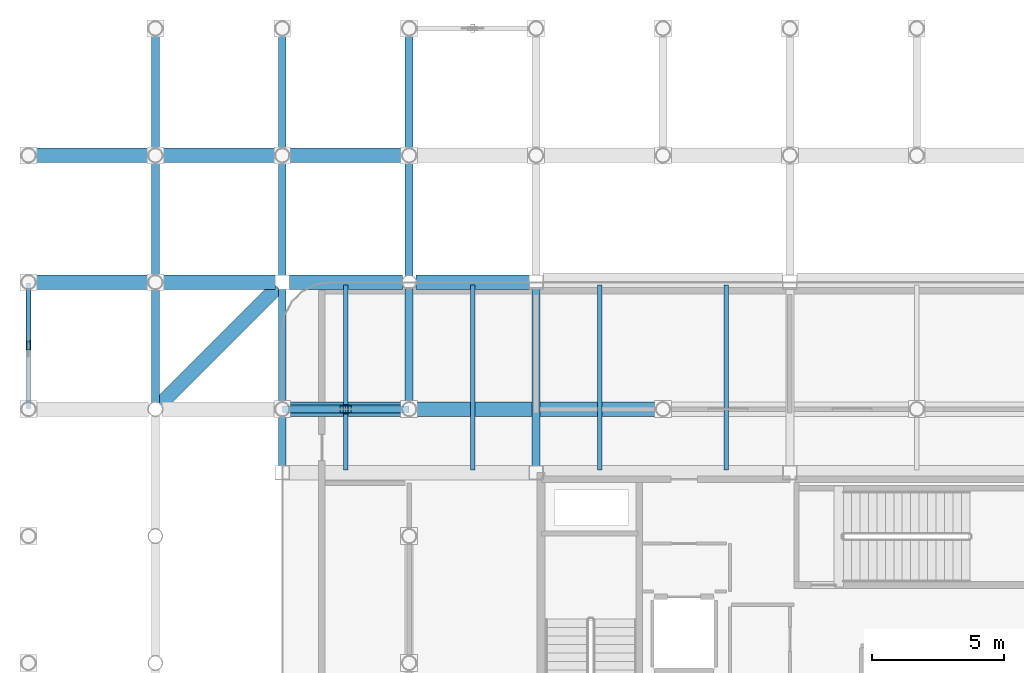
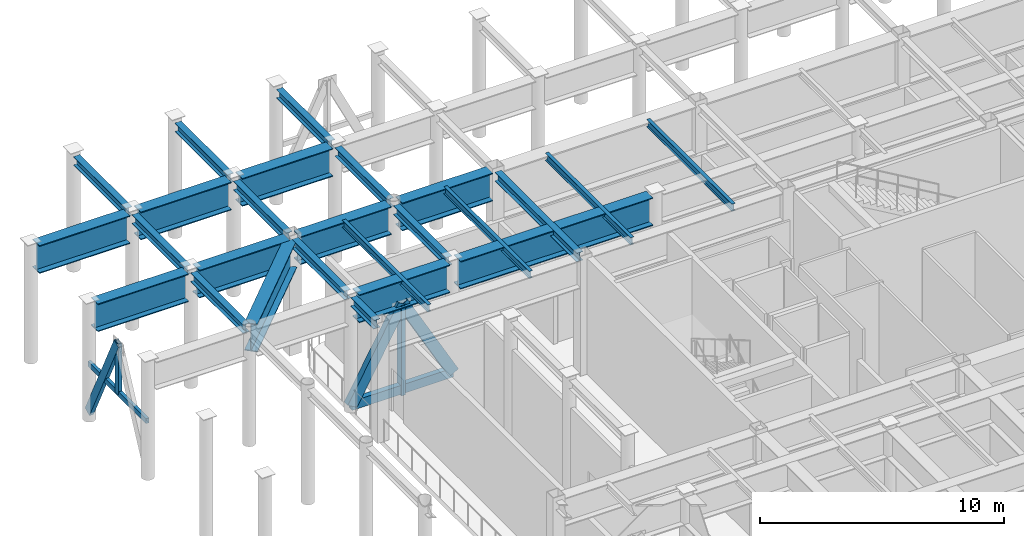
# One storey, part 8 of 20: 25 beams, 7 members.
"""IFC4 building model written with IfcOpenShell, lengths in metres."""

import ifcopenshell
import ifcopenshell.guid

model = None  # the IFC model being written
_history = None  # IfcOwnerHistory: only IFC2X3 demands one
_inside = {}  # id of a spatial element -> (the spatial element, [elements in it])
_under = {}  # id of a project, library or spatial element -> (it, [spatial elements below it])
_declared = {}  # id of a project -> (the project, [libraries it declares])
_typed = {}  # id of a type object -> (the type object, [elements of that type])
_made_of = {}  # id of a material, layer set ... -> (it, [elements and type objects made of it])


def new_model(schema):
    """Start an empty IFC model of exactly this schema.

    Asked for "IFC4X3", IfcOpenShell would pick the latest addendum, in which some entities
    have other attributes; the version numbers below select the first issue.
    IFC2X3 requires an IfcOwnerHistory on every rooted entity: one is made here for all.
    """
    global model, _history
    if schema == "IFC4X3":
        model = ifcopenshell.file(schema_version=(4, 3, 0, 0))
    else:
        model = ifcopenshell.file(schema=schema)
    _inside.clear()
    _under.clear()
    _declared.clear()
    _typed.clear()
    _made_of.clear()
    _history = None
    if model.schema == "IFC2X3":
        org = make("IfcOrganization", Name="unknown")
        user = make(
            "IfcPersonAndOrganization",
            ThePerson=make("IfcPerson", FamilyName="unknown"),
            TheOrganization=org,
        )
        app = make(
            "IfcApplication",
            ApplicationDeveloper=org,
            Version="unknown",
            ApplicationFullName="unknown",
            ApplicationIdentifier="unknown",
        )
        _history = make(
            "IfcOwnerHistory",
            OwningUser=user,
            OwningApplication=app,
            ChangeAction="ADDED",
            CreationDate=0,
        )
    return model


def make(cls, **values):
    """One entity of the class cls with the attributes given. An attribute that is None is left unset."""
    return model.create_entity(
        cls, **{name: value for name, value in values.items() if value is not None}
    )


def rooted(cls, **values):
    """An entity with a GlobalId (a new one), such as an element, a storey or a relation."""
    return make(cls, GlobalId=ifcopenshell.guid.new(), OwnerHistory=_history, **values)


def si_unit(unit_type, name, prefix=None):
    """IfcSIUnit, for example si_unit("LENGTHUNIT", "METRE", prefix="MILLI")."""
    return make("IfcSIUnit", UnitType=unit_type, Prefix=prefix, Name=name)


def assignment(units):
    """IfcUnitAssignment: the units of a project."""
    return None if units is None else make("IfcUnitAssignment", Units=units)


def point(xyz):
    """IfcCartesianPoint."""
    return None if xyz is None else make("IfcCartesianPoint", Coordinates=xyz)


def direction(xyz):
    """IfcDirection."""
    return None if xyz is None else make("IfcDirection", DirectionRatios=xyz)


def frame(location, z_axis=None, x_axis=None):
    """IfcAxis2Placement3D, a coordinate frame: its origin and axes. An axis left out is left unset."""
    return make(
        "IfcAxis2Placement3D",
        Location=point(location),
        Axis=direction(z_axis),
        RefDirection=direction(x_axis),
    )


def frame_2d(location, x_axis=None):
    """IfcAxis2Placement2D, a coordinate frame in the plane: its origin and x axis."""
    return make(
        "IfcAxis2Placement2D", Location=point(location), RefDirection=direction(x_axis)
    )


def origin():
    """The frame at (0, 0, 0) with its axes left unset."""
    return frame((0.0, 0.0, 0.0))


def origin_2d():
    """The frame at (0, 0) in the plane with its x axis left unset."""
    return frame_2d((0.0, 0.0))


def place(relative_to, where):
    """IfcLocalPlacement: puts the frame where relative to a parent placement (None: the world)."""
    return make(
        "IfcLocalPlacement", PlacementRelTo=relative_to, RelativePlacement=where
    )


def context(
    kind, dimensions, precision=None, world=None, true_north=None, identifier=None
):
    """IfcGeometricRepresentationContext, for example the 3D "Model" context."""
    return make(
        "IfcGeometricRepresentationContext",
        ContextIdentifier=identifier,
        ContextType=kind,
        CoordinateSpaceDimension=dimensions,
        Precision=precision,
        WorldCoordinateSystem=world,
        TrueNorth=true_north,
    )


def subcontext(parent, identifier, kind, view, scale=None):
    """IfcGeometricRepresentationSubContext, for example "Body" below "Model"."""
    return make(
        "IfcGeometricRepresentationSubContext",
        ContextIdentifier=identifier,
        ContextType=kind,
        ParentContext=parent,
        TargetScale=scale,
        TargetView=view,
    )


def project(units=None, contexts=None):
    """IfcProject with its units and contexts."""
    return rooted(
        "IfcProject",
        Name="project",
        RepresentationContexts=contexts,
        UnitsInContext=assignment(units),
    )


def spatial(cls, under=None, at=None, **own):
    """A site, building, storey or space (cls), placed at a placement, below another one or the project."""
    s = rooted(cls, ObjectPlacement=at, **own)
    if under is not None:
        _under.setdefault(under.id(), (under, []))[1].append(s)
    return s


def profile(cls, at=None, kind="AREA", **sizes):
    """A parametric profile (cls). Its sizes go by their IFC names, for example OverallWidth=200.0."""
    return make(cls, ProfileType=kind, Position=at, **sizes)


def hollow_rectangle(**sizes):
    """IfcRectangleHollowProfileDef."""
    return profile("IfcRectangleHollowProfileDef", **sizes)


def i_section(**sizes):
    """IfcIShapeProfileDef."""
    return profile("IfcIShapeProfileDef", **sizes)


def extrude(swept, where, along, depth):
    """IfcExtrudedAreaSolid: the profile swept, set in the frame where, extruded along a direction by depth."""
    return make(
        "IfcExtrudedAreaSolid",
        SweptArea=swept,
        Position=where,
        ExtrudedDirection=direction(along),
        Depth=depth,
    )


def shape(context_of_items, identifier, shape_type, items):
    """IfcShapeRepresentation: the items that make up one representation, for example the "Body"."""
    return make(
        "IfcShapeRepresentation",
        ContextOfItems=context_of_items,
        RepresentationIdentifier=identifier,
        RepresentationType=shape_type,
        Items=items,
    )


def material(Name=None, Category=None):
    """IfcMaterial."""
    return make("IfcMaterial", Name=Name, Category=Category)


def material_profile(
    of_material, cross_section, Name=None, Category=None, Priority=None
):
    """IfcMaterialProfile: a cross section and its material."""
    return make(
        "IfcMaterialProfile",
        Name=Name,
        Material=of_material,
        Profile=cross_section,
        Priority=Priority,
        Category=Category,
    )


def profile_set(profiles, Name=None, composite=None):
    """IfcMaterialProfileSet."""
    return make(
        "IfcMaterialProfileSet",
        Name=Name,
        MaterialProfiles=profiles,
        CompositeProfile=composite,
    )


def made_of(thing, what):
    """Note that an element or type object is made of a material, layer set ...; save() writes the relation."""
    if what is not None:
        _made_of.setdefault(what.id(), (what, []))[1].append(thing)
    return thing


def type_object(cls, material=None, **own):
    """A type object (cls), such as IfcWallType, which elements share."""
    return made_of(rooted(cls, **own), material)


def element(
    cls,
    number,
    at=None,
    inside=None,
    cuts=None,
    type_object=None,
    material=None,
    context=None,
    identifier="Body",
    shape_type=None,
    held_by="IfcProductDefinitionShape",
    body=None,
    shapes=None,
    **own,
):
    """One element of the class cls, such as IfcWall. Its Tag is "e" and its number.

    at: its placement. inside: the storey or other place that contains it. cuts: it is an
    opening in that element (IfcRelVoidsElement). A single representation is given by context,
    identifier, shape_type and body (its items); several are given by shapes. held_by: the class
    of the entity that holds the representations. save() writes the other relations.
    """
    e = rooted(cls, Tag="e%d" % number, ObjectPlacement=at, **own)
    if body is not None:
        shapes = [shape(context, identifier, shape_type, body)]
    if shapes is not None:
        e.Representation = make(held_by, Representations=shapes)
    if inside is not None:
        _inside.setdefault(inside.id(), (inside, []))[1].append(e)
    if cuts is not None:
        rooted(
            "IfcRelVoidsElement", RelatingBuildingElement=cuts, RelatedOpeningElement=e
        )
    if type_object is not None:
        _typed.setdefault(type_object.id(), (type_object, []))[1].append(e)
    return made_of(e, material)


def aggregate(whole, parts):
    """IfcRelAggregates: a whole, such as a stair, and the parts it consists of."""
    return rooted("IfcRelAggregates", RelatingObject=whole, RelatedObjects=parts)


def save(model, path):
    """Write the relations noted so far, then the file.

    IfcRelAggregates (storeys below a building ...), IfcRelContainedInSpatialStructure (elements
    in a storey), IfcRelDefinesByType, IfcRelAssociatesMaterial and IfcRelDeclares: one each for
    every whole, place, type object, material and project.
    """
    for whole, parts in _under.values():
        aggregate(whole, parts)
    for where, things in _inside.values():
        rooted(
            "IfcRelContainedInSpatialStructure",
            RelatedElements=things,
            RelatingStructure=where,
        )
    for kind, things in _typed.values():
        rooted("IfcRelDefinesByType", RelatedObjects=things, RelatingType=kind)
    for what, things in _made_of.values():
        rooted("IfcRelAssociatesMaterial", RelatedObjects=things, RelatingMaterial=what)
    for by, libraries in _declared.values():
        rooted("IfcRelDeclares", RelatingContext=by, RelatedDefinitions=libraries)
    model.write(path)


model = new_model("IFC4")

# Units and contexts
model_context = context("Model", 3, precision=1e-05, world=origin(), true_north=direction((0.0, 1.0)))
body_context = subcontext(model_context, "Body", "Model", "MODEL_VIEW")
ifc_project = project(units=[si_unit("LENGTHUNIT", "METRE"), si_unit("AREAUNIT", "SQUARE_METRE"), si_unit("VOLUMEUNIT", "CUBIC_METRE"), si_unit("PLANEANGLEUNIT", "RADIAN"), si_unit("MASSUNIT", "GRAM", prefix="KILO")], contexts=[model_context])

# Site, building, storey
site_placement = place(None, origin())
site = spatial("IfcSite", under=ifc_project, at=site_placement, CompositionType="ELEMENT")
building_placement = place(site_placement, origin())
building = spatial("IfcBuilding", under=site, at=building_placement, Name="Kallvorn Hotel Tower", CompositionType="ELEMENT")
storey_placement = place(building_placement, frame((0.0, 0.0, 276.199951171875)))
storey = spatial("IfcBuildingStorey", under=building, at=storey_placement, Name="L69", CompositionType="ELEMENT", Elevation=276.199951171875)

# Beams
ifc_material_1 = material(Name="Structural steel S355JR", Category="steel")
ifc_material_profile_1 = material_profile(ifc_material_1, i_section(OverallWidth=0.300048828125, OverallDepth=0.43994140625, WebThickness=0.011474609375, FlangeThickness=0.02099609375, at=origin_2d()), Name="HE 450 A")
ifc_profile_set_1 = profile_set([ifc_material_profile_1], Name="Structural steel S355JR")
beam_type_1 = type_object("IfcBeamType", Name="BM_HE450A", PredefinedType="BEAM", material=ifc_profile_set_1)
for number, where, z_axis, x_axis, name in (
    (1, (-28.800048828125, 9.8544921875, 5.580078125), (0.0, 1.0, 0.0), (-1.0, 0.0, 0.0), "L70 Primary Y-Girder 95"),
    (2, (-28.800048828125, 14.654541015625, 5.580078125), (0.0, 1.0, 0.0), (-1.0, 0.0, 0.0), "L70 Primary Y-Girder 96"),
    (3, (-28.800048828125, 19.45458984375, 5.580078125), (0.0, 1.0, 0.0), (-1.0, 0.0, 0.0), "L70 Primary Y-Girder 97"),
):
    element("IfcBeam", number, at=place(storey_placement, frame(where, z_axis=z_axis, x_axis=x_axis)), inside=storey, type_object=beam_type_1, Name=name, PredefinedType="BEAM", context=body_context, shape_type="SweptSolid", body=[
        extrude(i_section(OverallWidth=0.300048828125, OverallDepth=0.43994140625, WebThickness=0.011474609375, FlangeThickness=0.02099609375, at=origin_2d()), origin(), (0.0, 0.0, 1.0), 4.291015625),
    ])
beam_1_placement = place(storey_placement, frame((-24.0, 7.449951171875, 5.580078125), z_axis=(0.0, 1.0, 0.0), x_axis=(-1.0, 0.0, 0.0)))
element("IfcBeam", 4, at=beam_1_placement, inside=storey, type_object=beam_type_1, Name="L70 Primary Y-Girder 101", PredefinedType="BEAM", context=body_context, shape_type="SweptSolid", body=[
    extrude(i_section(OverallWidth=0.300048828125, OverallDepth=0.43994140625, WebThickness=0.011474609375, FlangeThickness=0.02099609375, at=origin_2d()), origin(), (0.0, 0.0, 1.0), 1.8955078125),
])
beam_2_placement = place(storey_placement, frame((-24.0, 9.8544921875, 5.580078125), z_axis=(0.0, 1.0, 0.0), x_axis=(-1.0, 0.0, 0.0)))
element("IfcBeam", 5, at=beam_2_placement, inside=storey, type_object=beam_type_1, Name="L70 Primary Y-Girder 102", PredefinedType="BEAM", context=body_context, shape_type="SweptSolid", body=[
    extrude(i_section(OverallWidth=0.300048828125, OverallDepth=0.43994140625, WebThickness=0.011474609375, FlangeThickness=0.02099609375, at=origin_2d()), origin(), (0.0, 0.0, 1.0), 4.29541015625),
])
beam_3_placement = place(storey_placement, frame((-24.0, 14.64990234375, 5.580078125), z_axis=(0.0, 1.0, 0.0), x_axis=(-1.0, 0.0, 0.0)))
element("IfcBeam", 6, at=beam_3_placement, inside=storey, type_object=beam_type_1, Name="L70 Primary Y-Girder 103", PredefinedType="BEAM", context=body_context, shape_type="SweptSolid", body=[
    extrude(i_section(OverallWidth=0.300048828125, OverallDepth=0.43994140625, WebThickness=0.011474609375, FlangeThickness=0.02099609375, at=origin_2d()), origin(), (0.0, 0.0, 1.0), 4.295654296875),
])
for number, where, z_axis, x_axis, name in (
    (7, (-24.0, 19.45458984375, 5.580078125), (0.0, 1.0, 0.0), (-1.0, 0.0, 0.0), "L70 Primary Y-Girder 104"),
    (8, (-19.199951171875, 9.8544921875, 5.580078125), (0.0, 1.0, 0.0), (-1.0, 0.0, 0.0), "L70 Primary Y-Girder 111"),
    (9, (-19.199951171875, 14.654541015625, 5.580078125), (0.0, 1.0, 0.0), (-1.0, 0.0, 0.0), "L70 Primary Y-Girder 112"),
    (10, (-19.199951171875, 19.45458984375, 5.580078125), (0.0, 1.0, 0.0), (-1.0, 0.0, 0.0), "L70 Primary Y-Girder 113"),
):
    element("IfcBeam", number, at=place(storey_placement, frame(where, z_axis=z_axis, x_axis=x_axis)), inside=storey, type_object=beam_type_1, Name=name, PredefinedType="BEAM", context=body_context, shape_type="SweptSolid", body=[
        extrude(i_section(OverallWidth=0.300048828125, OverallDepth=0.43994140625, WebThickness=0.011474609375, FlangeThickness=0.02099609375, at=origin_2d()), origin(), (0.0, 0.0, 1.0), 4.291015625),
    ])
beam_4_placement = place(storey_placement, frame((-14.39990234375, 7.449951171875, 5.580078125), z_axis=(0.0, 1.0, 0.0), x_axis=(-1.0, 0.0, 0.0)))
element("IfcBeam", 11, at=beam_4_placement, inside=storey, type_object=beam_type_1, Name="L70 Primary Y-Girder 116", PredefinedType="BEAM", context=body_context, shape_type="SweptSolid", body=[
    extrude(i_section(OverallWidth=0.300048828125, OverallDepth=0.43994140625, WebThickness=0.011474609375, FlangeThickness=0.02099609375, at=origin_2d()), origin(), (0.0, 0.0, 1.0), 6.699951171875),
])
ifc_material_2 = material(Name="Structural steel S355JR", Category="steel")
ifc_material_profile_2 = material_profile(ifc_material_2, i_section(OverallWidth=0.169921875, OverallDepth=0.360107421875, WebThickness=0.008056640625, FlangeThickness=0.0126953125, at=origin_2d()), Name="IPE 360")
ifc_profile_set_2 = profile_set([ifc_material_profile_2], Name="Structural steel S355JR")
beam_type_2 = type_object("IfcBeamType", Name="BM_IPE360", PredefinedType="JOIST", material=ifc_profile_set_2)
for number, where, z_axis, x_axis, name in (
    (12, (-21.60009765625, 7.300048828125, 5.6201171875), (0.0, 1.0, 0.0), (-1.0, 0.0, 0.0), "L70 Secondary Composite Joist 204"),
    (13, (-16.800048828125, 7.300048828125, 5.6201171875), (0.0, 1.0, 0.0), (-1.0, 0.0, 0.0), "L70 Secondary Composite Joist 206"),
    (14, (-12.0, 7.300048828125, 5.6201171875), (0.0, 1.0, 0.0), (-1.0, 0.0, 0.0), "L70 Secondary Composite Joist 208"),
    (15, (-7.199951171875, 7.300048828125, 5.6201171875), (0.0, 1.0, 0.0), (-1.0, 0.0, 0.0), "L70 Secondary Composite Joist 210"),
):
    element("IfcBeam", number, at=place(storey_placement, frame(where, z_axis=z_axis, x_axis=x_axis)), inside=storey, type_object=beam_type_2, Name=name, PredefinedType="JOIST", context=body_context, shape_type="SweptSolid", body=[
        extrude(i_section(OverallWidth=0.169921875, OverallDepth=0.360107421875, WebThickness=0.008056640625, FlangeThickness=0.0126953125, at=origin_2d()), origin(), (0.0, 0.0, 1.0), 7.0),
    ])
ifc_material_3 = material(Name="Structural steel S355JR", Category="steel")
ifc_material_profile_3 = material_profile(ifc_material_3, i_section(OverallWidth=0.550048828125, OverallDepth=1.39990234375, WebThickness=0.02490234375, FlangeThickness=0.044921875, at=origin_2d()), Name="PG 1400x550x25x45")
ifc_profile_set_3 = profile_set([ifc_material_profile_3], Name="Structural steel S355JR")
beam_type_3 = type_object("IfcBeamType", Name="BM_PG_1400", PredefinedType="BEAM", material=ifc_profile_set_3)
beam_5_placement = place(storey_placement, frame((-23.74560546875, 9.60009765625, 5.10009765625), z_axis=(1.0, 0.0, 0.0), x_axis=(0.0, 1.0, 0.0)))
element("IfcBeam", 16, at=beam_5_placement, inside=storey, type_object=beam_type_3, Name="L70 Primary X-Girder 59", PredefinedType="BEAM", context=body_context, shape_type="SweptSolid", body=[
    extrude(i_section(OverallWidth=0.550048828125, OverallDepth=1.39990234375, WebThickness=0.02490234375, FlangeThickness=0.044921875, at=origin_2d()), origin(), (0.0, 0.0, 1.0), 4.291015625),
])
beam_6_placement = place(storey_placement, frame((-18.945556640625, 9.60009765625, 5.10009765625), z_axis=(1.0, 0.0, 0.0), x_axis=(0.0, 1.0, 0.0)))
element("IfcBeam", 17, at=beam_6_placement, inside=storey, type_object=beam_type_3, Name="L70 Primary X-Girder 60", PredefinedType="BEAM", context=body_context, shape_type="SweptSolid", body=[
    extrude(i_section(OverallWidth=0.550048828125, OverallDepth=1.39990234375, WebThickness=0.02490234375, FlangeThickness=0.044921875, at=origin_2d()), origin(), (0.0, 0.0, 1.0), 9.091064453125),
])
beam_7_placement = place(storey_placement, frame((-33.345458984375, 14.39990234375, 5.10009765625), z_axis=(1.0, 0.0, 0.0), x_axis=(0.0, 1.0, 0.0)))
element("IfcBeam", 18, at=beam_7_placement, inside=storey, type_object=beam_type_3, Name="L70 Primary X-Girder 66", PredefinedType="BEAM", context=body_context, shape_type="SweptSolid", body=[
    extrude(i_section(OverallWidth=0.550048828125, OverallDepth=1.39990234375, WebThickness=0.02490234375, FlangeThickness=0.044921875, at=origin_2d()), origin(), (0.0, 0.0, 1.0), 4.291015625),
])
for number, where, z_axis, x_axis, name in (
    (19, (-28.54541015625, 14.39990234375, 5.10009765625), (1.0, 0.0, 0.0), (0.0, 1.0, 0.0), "L70 Primary X-Girder 67"),
    (20, (-23.75, 14.39990234375, 5.10009765625), (1.0, 0.0, 0.0), (0.0, 1.0, 0.0), "L70 Primary X-Girder 68"),
):
    element("IfcBeam", number, at=place(storey_placement, frame(where, z_axis=z_axis, x_axis=x_axis)), inside=storey, type_object=beam_type_3, Name=name, PredefinedType="BEAM", context=body_context, shape_type="SweptSolid", body=[
        extrude(i_section(OverallWidth=0.550048828125, OverallDepth=1.39990234375, WebThickness=0.02490234375, FlangeThickness=0.044921875, at=origin_2d()), origin(), (0.0, 0.0, 1.0), 4.29541015625),
    ])
beam_8_placement = place(storey_placement, frame((-18.945556640625, 14.39990234375, 5.10009765625), z_axis=(1.0, 0.0, 0.0), x_axis=(0.0, 1.0, 0.0)))
element("IfcBeam", 21, at=beam_8_placement, inside=storey, type_object=beam_type_3, Name="L70 Primary X-Girder 69", PredefinedType="BEAM", context=body_context, shape_type="SweptSolid", body=[
    extrude(i_section(OverallWidth=0.550048828125, OverallDepth=1.39990234375, WebThickness=0.02490234375, FlangeThickness=0.044921875, at=origin_2d()), origin(), (0.0, 0.0, 1.0), 4.295654296875),
])
for number, where, z_axis, x_axis, name in (
    (22, (-33.345458984375, 19.199951171875, 5.10009765625), (1.0, 0.0, 0.0), (0.0, 1.0, 0.0), "L70 Primary X-Girder 76"),
    (23, (-28.54541015625, 19.199951171875, 5.10009765625), (1.0, 0.0, 0.0), (0.0, 1.0, 0.0), "L70 Primary X-Girder 77"),
    (24, (-23.74560546875, 19.199951171875, 5.10009765625), (1.0, 0.0, 0.0), (0.0, 1.0, 0.0), "L70 Primary X-Girder 78"),
):
    element("IfcBeam", number, at=place(storey_placement, frame(where, z_axis=z_axis, x_axis=x_axis)), inside=storey, type_object=beam_type_3, Name=name, PredefinedType="BEAM", context=body_context, shape_type="SweptSolid", body=[
        extrude(i_section(OverallWidth=0.550048828125, OverallDepth=1.39990234375, WebThickness=0.02490234375, FlangeThickness=0.044921875, at=origin_2d()), origin(), (0.0, 0.0, 1.0), 4.291015625),
    ])
beam_9_placement = place(storey_placement, frame((-28.609375, 9.79052734375, 5.10009765625), z_axis=(0.707087261061, 0.707126300773, 0.0), x_axis=(-0.707126300773, 0.707087261061, 0.0)))
element("IfcBeam", 25, at=beam_9_placement, inside=storey, type_object=beam_type_3, Name="L70 Rounded Corner Tie Beam 200", PredefinedType="BEAM", context=body_context, shape_type="SweptSolid", body=[
    extrude(i_section(OverallWidth=0.550048828125, OverallDepth=1.39990234375, WebThickness=0.02490234375, FlangeThickness=0.044921875, at=origin_2d()), origin(), (0.0, 0.0, 1.0), 6.253662109375),
])

# Members
ifc_material_4 = material(Name="Structural steel S355J2H", Category="steel")
ifc_material_profile_4 = material_profile(ifc_material_4, hollow_rectangle(XDim=0.199951171875, YDim=0.39990234375, WallThickness=0.02001953125, at=origin_2d()), Name="RHS 400x200x20")
ifc_profile_set_4 = profile_set([ifc_material_profile_4], Name="Structural steel S355J2H")
member_type_1 = type_object("IfcMemberType", Name="MBR_BELT_RHS400", PredefinedType="BRACE", material=ifc_profile_set_4)
member_1_placement = place(storey_placement, frame((-33.60009765625, 14.39111328125, 0.3681640625), z_axis=(0.0, -0.440591160242, 0.897707875378), x_axis=(1.0, 0.0, 0.0)))
element("IfcMember", 26, at=member_1_placement, inside=storey, type_object=member_type_1, Name="L69 Belt Truss Diagonal 6B", PredefinedType="BRACE", context=body_context, shape_type="SweptSolid", body=[
    extrude(hollow_rectangle(XDim=0.199951171875, YDim=0.39990234375, WallThickness=0.02001953125, at=origin_2d()), origin(), (0.0, 0.0, 1.0), 5.4072265625),
])
ifc_material_5 = material(Name="Structural steel S355J2H", Category="steel")
ifc_material_profile_5 = material_profile(ifc_material_5, hollow_rectangle(XDim=0.25, YDim=0.449951171875, WallThickness=0.02197265625, at=origin_2d()), Name="RHS 450x250x22")
ifc_profile_set_5 = profile_set([ifc_material_profile_5], Name="Structural steel S355J2H")
member_type_2 = type_object("IfcMemberType", Name="MBR_CHORD_RHS450", PredefinedType="CHORD", material=ifc_profile_set_5)
member_2_placement = place(storey_placement, frame((-24.0, 9.60009765625, 0.239990234375), z_axis=(1.0, 0.0, 0.0), x_axis=(0.0, 1.0, 0.0)))
element("IfcMember", 27, at=member_2_placement, inside=storey, type_object=member_type_2, Name="L69 Outrigger Truss Bottom Chord OTW2", PredefinedType="CHORD", context=body_context, shape_type="SweptSolid", body=[
    extrude(hollow_rectangle(XDim=0.25, YDim=0.449951171875, WallThickness=0.02197265625, at=origin_2d()), origin(), (0.0, 0.0, 1.0), 4.800048828125),
])
ifc_material_6 = material(Name="Structural steel S355J2H", Category="steel")
ifc_material_profile_6 = material_profile(ifc_material_6, hollow_rectangle(XDim=0.14990234375, YDim=0.25, WallThickness=0.010009765625, at=origin_2d()), Name="RHS 250x150x10")
ifc_profile_set_6 = profile_set([ifc_material_profile_6], Name="Structural steel S355J2H")
member_type_3 = type_object("IfcMemberType", Name="MBR_COLLAR_RHS250", PredefinedType="COLLAR", material=ifc_profile_set_6)
member_3_placement = place(storey_placement, frame((-33.60009765625, 9.6201171875, 2.775146484375), z_axis=(0.0, 1.0, 0.0), x_axis=(-1.0, 0.0, 0.0)))
element("IfcMember", 28, at=member_3_placement, inside=storey, type_object=member_type_3, Name="L69 Belt Truss Tie Collar 6", PredefinedType="COLLAR", context=body_context, shape_type="SweptSolid", body=[
    extrude(hollow_rectangle(XDim=0.14990234375, YDim=0.25, WallThickness=0.010009765625, at=origin_2d()), origin(), (0.0, 0.0, 1.0), 4.759765625),
])
ifc_material_7 = material(Name="Structural steel S355J2H", Category="steel")
ifc_material_profile_7 = material_profile(ifc_material_7, hollow_rectangle(XDim=0.300048828125, YDim=0.5, WallThickness=0.02490234375, at=origin_2d()), Name="RHS 500x300x25")
ifc_profile_set_7 = profile_set([ifc_material_profile_7], Name="Structural steel S355J2H")
member_type_4 = type_object("IfcMemberType", Name="MBR_OUTRIGGER_RHS500", PredefinedType="BRACE", material=ifc_profile_set_7)
member_4_placement = place(storey_placement, frame((-24.0, 9.60009765625, 0.239990234375), z_axis=(0.487346818809, 0.0, 0.873208496407), x_axis=(0.0, 1.0, 0.0)))
element("IfcMember", 29, at=member_4_placement, inside=storey, type_object=member_type_4, Name="L69 Outrigger Truss Diagonal OTW2A", PredefinedType="BRACE", context=body_context, shape_type="SweptSolid", body=[
    extrude(hollow_rectangle(XDim=0.300048828125, YDim=0.5, WallThickness=0.02490234375, at=origin_2d()), origin(), (0.0, 0.0, 1.0), 4.92431640625),
])
member_5_placement = place(storey_placement, frame((-19.199951171875, 9.60009765625, 0.239990234375), z_axis=(-0.487384619939, 0.0, 0.873187398127), x_axis=(0.0, -1.0, 0.0)))
element("IfcMember", 30, at=member_5_placement, inside=storey, type_object=member_type_4, Name="L69 Outrigger Truss Diagonal OTW2B", PredefinedType="BRACE", context=body_context, shape_type="SweptSolid", body=[
    extrude(hollow_rectangle(XDim=0.300048828125, YDim=0.5, WallThickness=0.02490234375, at=origin_2d()), origin(), (0.0, 0.0, 1.0), 4.924560546875),
])
ifc_material_8 = material(Name="Structural steel S355J2H", Category="steel")
ifc_material_profile_8 = material_profile(ifc_material_8, hollow_rectangle(XDim=0.199951171875, YDim=0.35009765625, WallThickness=0.01611328125, at=origin_2d()), Name="RHS 350x200x16")
ifc_profile_set_8 = profile_set([ifc_material_profile_8], Name="Structural steel S355J2H")
member_type_5 = type_object("IfcMemberType", Name="MBR_POST_RHS350", PredefinedType="POST", material=ifc_profile_set_8)
member_6_placement = place(storey_placement, frame((-21.60009765625, 9.60009765625, -0.0400390625), z_axis=(0.0, 0.0, 1.0), x_axis=(1.0, 0.0, 0.0)))
element("IfcMember", 31, at=member_6_placement, inside=storey, type_object=member_type_5, Name="L69 Outrigger Truss Post OTW2", PredefinedType="POST", context=body_context, shape_type="SweptSolid", body=[
    extrude(hollow_rectangle(XDim=0.199951171875, YDim=0.35009765625, WallThickness=0.01611328125, at=origin_2d()), origin(), (0.0, 0.0, 1.0), 4.52001953125),
])
ifc_material_9 = material(Name="Structural steel S355J2H", Category="steel")
ifc_material_profile_9 = material_profile(ifc_material_9, hollow_rectangle(XDim=0.14990234375, YDim=0.300048828125, WallThickness=0.012451171875, at=origin_2d()), Name="RHS 300x150x12.5")
ifc_profile_set_9 = profile_set([ifc_material_profile_9], Name="Structural steel S355J2H")
member_type_6 = type_object("IfcMemberType", Name="MBR_STRUT_RHS300", PredefinedType="STRUT", material=ifc_profile_set_9)
member_7_placement = place(storey_placement, frame((-33.60009765625, 12.0, 2.72509765625), z_axis=(0.0, 0.0, 1.0), x_axis=(1.0, 0.0, 0.0)))
element("IfcMember", 32, at=member_7_placement, inside=storey, type_object=member_type_6, Name="L69 Belt Truss Strut 6", PredefinedType="STRUT", context=body_context, shape_type="SweptSolid", body=[
    extrude(hollow_rectangle(XDim=0.14990234375, YDim=0.300048828125, WallThickness=0.012451171875, at=origin_2d()), origin(), (0.0, 0.0, 1.0), 2.554931640625),
])

save(model, "model.ifc")
